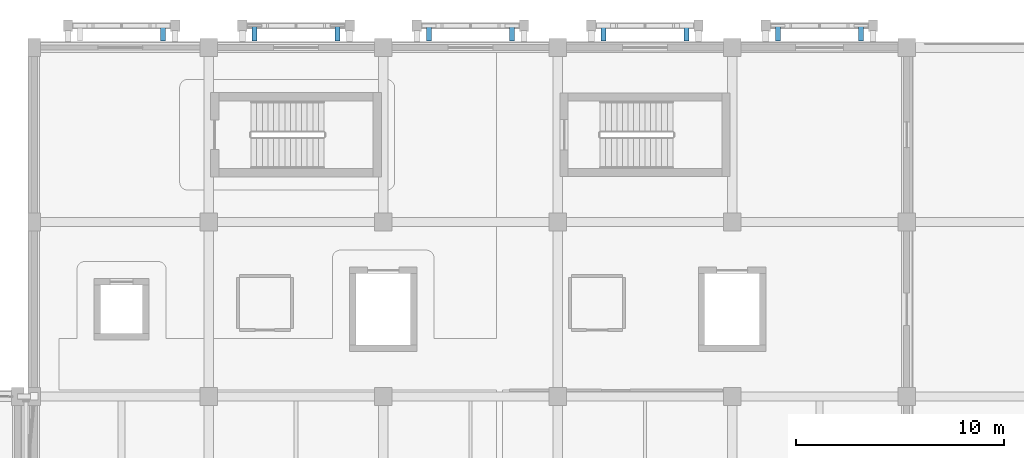
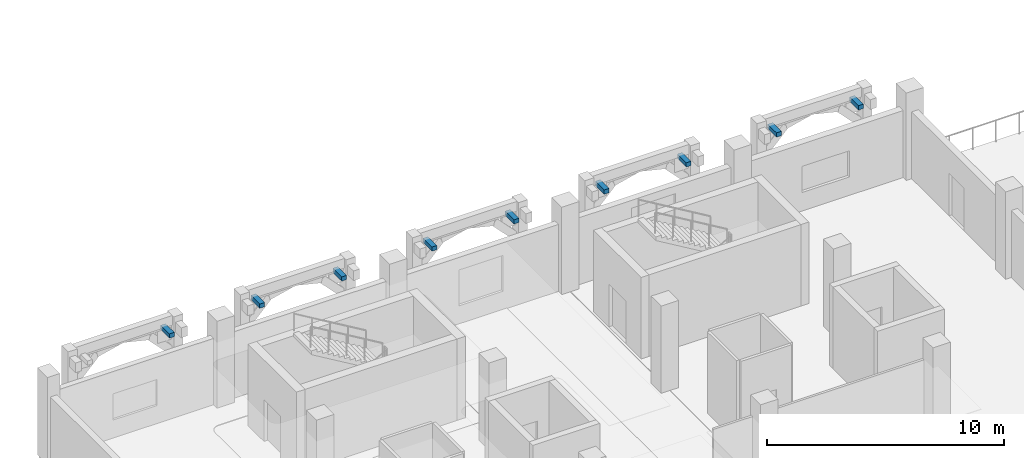
# One storey, part 118 of 129: 9 discrete accessories.
"""IFC4 building model written with IfcOpenShell, lengths in metres."""

from ifc_helpers import new_model, si_unit, direction, frame, origin, origin_2d, place, context, subcontext, project, spatial, rectangle, extrude, material, type_object, element, save


model = new_model("IFC4")

# Units and contexts
model_context = context("Model", 3, precision=1e-05, world=origin(), true_north=direction((0.0, 1.0)))
body_context = subcontext(model_context, "Body", "Model", "MODEL_VIEW")
ifc_project = project(units=[si_unit("LENGTHUNIT", "METRE"), si_unit("AREAUNIT", "SQUARE_METRE"), si_unit("VOLUMEUNIT", "CUBIC_METRE"), si_unit("PLANEANGLEUNIT", "RADIAN"), si_unit("MASSUNIT", "GRAM", prefix="KILO")], contexts=[model_context])

# Site, building, storey
site_placement = place(None, origin())
site = spatial("IfcSite", under=ifc_project, at=site_placement, CompositionType="ELEMENT")
building_placement = place(site_placement, origin())
building = spatial("IfcBuilding", under=site, at=building_placement, Name="Xazarin Passage Department Store", CompositionType="ELEMENT")
storey_placement = place(building_placement, frame((0.0, 0.0, 9.89990234375)))
storey = spatial("IfcBuildingStorey", under=building, at=storey_placement, Name="L02", CompositionType="ELEMENT", Elevation=9.89990234375)

# Discrete accessories
ifc_material = material(Name="Steel S355", Category="steel")
discrete_accessory_type = type_object("IfcDiscreteAccessoryType", Name="ARC-BRK-S355-A", PredefinedType="BRACKET", material=ifc_material)
for number, where, z_axis, x_axis, name in (
    (1, (108.60009765625, 110.699951171875, 3.84033203125), (0.0, 0.0, 1.0), (1.0, 0.0, 0.0), "L02 V4 Spandrel Tie Bracket 0294"),
    (2, (113.0, 110.699951171875, 3.84033203125), (0.0, 0.0, 1.0), (1.0, 0.0, 0.0), "L02 V4 Spandrel Tie Bracket 0301"),
    (3, (117.0, 110.699951171875, 3.84033203125), (0.0, 0.0, 1.0), (1.0, 0.0, 0.0), "L02 V4 Spandrel Tie Bracket 0302"),
    (4, (121.39990234375, 110.699951171875, 3.84033203125), (0.0, 0.0, 1.0), (1.0, 0.0, 0.0), "L02 V4 Spandrel Tie Bracket 0309"),
    (5, (125.39990234375, 110.699951171875, 3.84033203125), (0.0, 0.0, 1.0), (1.0, 0.0, 0.0), "L02 V4 Spandrel Tie Bracket 0310"),
    (6, (129.800048828125, 110.699951171875, 3.84033203125), (0.0, 0.0, 1.0), (1.0, 0.0, 0.0), "L02 V4 Spandrel Tie Bracket 0317"),
    (7, (133.800048828125, 110.699951171875, 3.84033203125), (0.0, 0.0, 1.0), (1.0, 0.0, 0.0), "L02 V4 Spandrel Tie Bracket 0318"),
    (8, (138.199951171875, 110.699951171875, 3.84033203125), (0.0, 0.0, 1.0), (1.0, 0.0, 0.0), "L02 V4 Spandrel Tie Bracket 0325"),
    (9, (142.199951171875, 110.699951171875, 3.84033203125), (0.0, 0.0, 1.0), (1.0, 0.0, 0.0), "L02 V4 Spandrel Tie Bracket 0326"),
):
    element("IfcDiscreteAccessory", number, at=place(storey_placement, frame(where, z_axis=z_axis, x_axis=x_axis)), inside=storey, type_object=discrete_accessory_type, Name=name, PredefinedType="BRACKET", context=body_context, shape_type="SweptSolid", body=[
        extrude(rectangle(XDim=0.239990234375, YDim=0.75, at=origin_2d()), origin(), (0.0, 0.0, 1.0), 0.219970703125),
    ])

save(model, "model.ifc")
